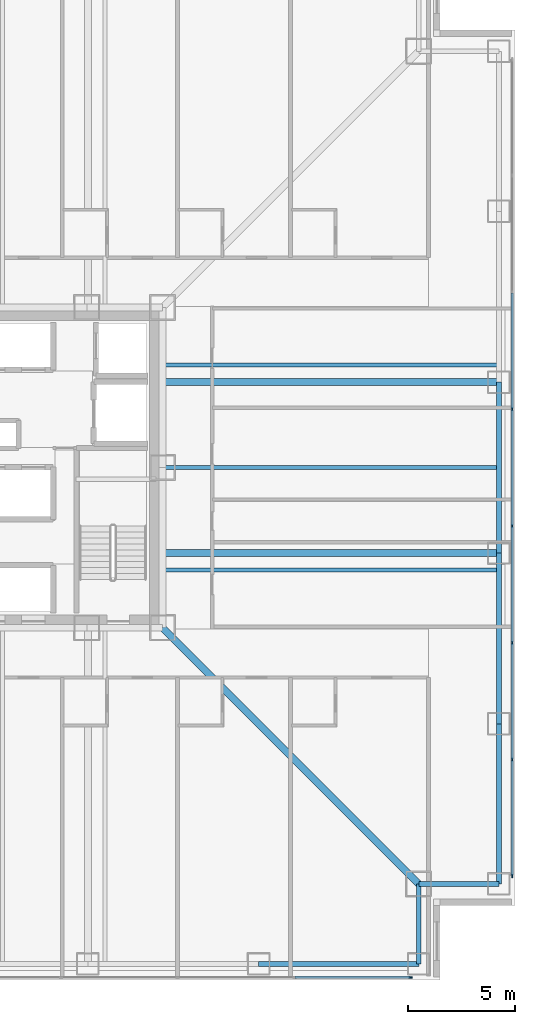
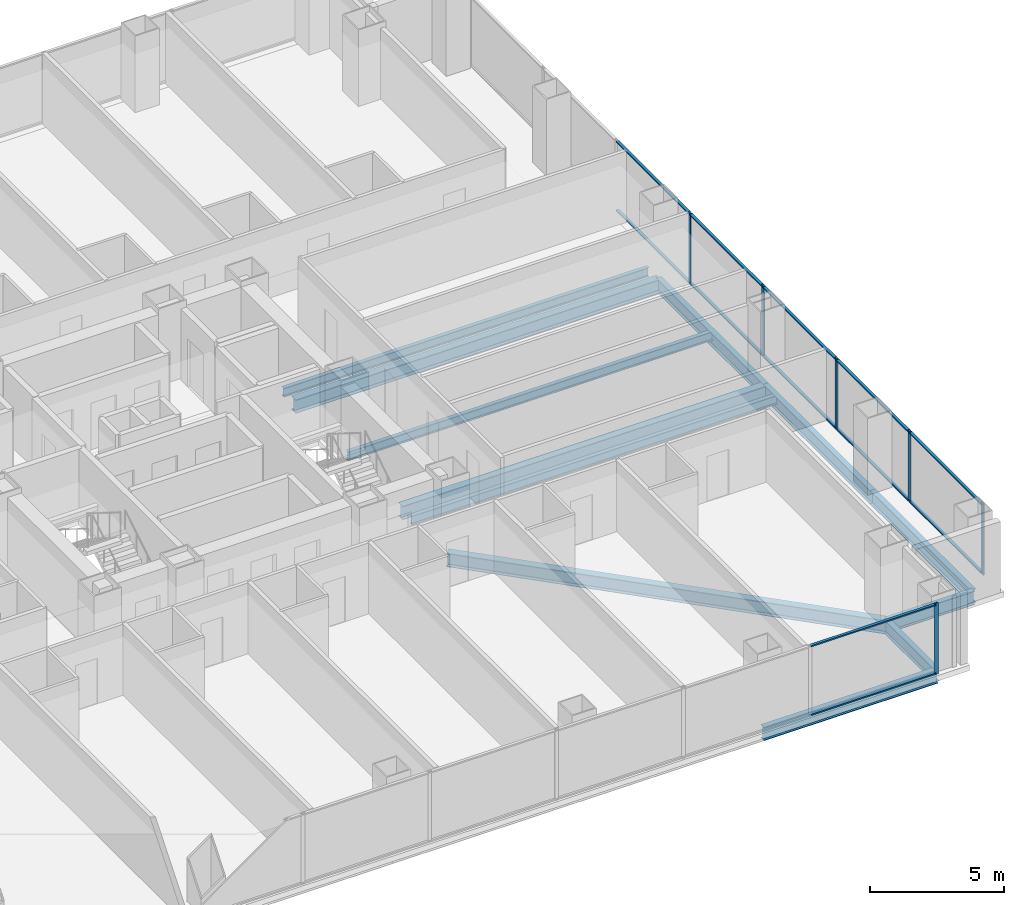
# One storey, part 6 of 17: 18 members, 12 beams, 2 elements without a shape of their own.
"""IFC4 building model written with IfcOpenShell, lengths in metres."""

from ifc_helpers import new_model, si_unit, direction, frame, origin, origin_2d, place, context, subcontext, project, spatial, rectangle, i_section, extrude, material, layer, layer_set, material_profile, profile_set, type_object, element, aggregate, save


model = new_model("IFC4")

# Units and contexts
model_context = context("Model", 3, precision=1e-05, world=origin(), true_north=direction((0.0, 1.0)))
body_context = subcontext(model_context, "Body", "Model", "MODEL_VIEW")
ifc_project = project(units=[si_unit("LENGTHUNIT", "METRE"), si_unit("AREAUNIT", "SQUARE_METRE"), si_unit("VOLUMEUNIT", "CUBIC_METRE"), si_unit("PLANEANGLEUNIT", "RADIAN"), si_unit("MASSUNIT", "GRAM", prefix="KILO")], contexts=[model_context])

# Site, building, storey
site_placement = place(None, origin())
site = spatial("IfcSite", under=ifc_project, at=site_placement, CompositionType="ELEMENT")
building_placement = place(site_placement, origin())
building = spatial("IfcBuilding", under=site, at=building_placement, Name="Trevonay Congress Spire", CompositionType="ELEMENT")
storey_placement = place(building_placement, frame((0.0, 0.0, 30.5)))
storey = spatial("IfcBuildingStorey", under=building, at=storey_placement, Name="L06", CompositionType="ELEMENT", Elevation=30.5)

# Beams
ifc_material_1 = material(Name="Steel ASTM A572 Grade 50", Category="steel")
ifc_material_profile_1 = material_profile(ifc_material_1, i_section(OverallWidth=0.324951171875, OverallDepth=0.615966796875, WebThickness=0.013916015625, FlangeThickness=0.021484375, FilletRadius=0.01806640625, at=origin_2d()), Name="W610x174")
ifc_profile_set_1 = profile_set([ifc_material_profile_1], Name="Steel ASTM A572 Grade 50")
beam_type_1 = type_object("IfcBeamType", Name="BM-GIRD-W610X174", PredefinedType="BEAM", material=ifc_profile_set_1)
beam_1_placement = place(storey_placement, frame((7.5, -7.5, -0.55810546875), z_axis=(0.707106781187, -0.707106781187, 0.0), x_axis=(0.707106781187, 0.707106781187, 0.0)))
element("IfcBeam", 1, at=beam_1_placement, inside=storey, type_object=beam_type_1, Name="L06 structural beam BM-L06-CDSE", PredefinedType="BEAM", context=body_context, shape_type="SweptSolid", body=[
    extrude(i_section(OverallWidth=0.324951171875, OverallDepth=0.615966796875, WebThickness=0.013916015625, FlangeThickness=0.021484375, FilletRadius=0.01806640625, at=origin_2d()), origin(), (0.0, 0.0, 1.0), 16.970458984375),
])
for number, where, z_axis, x_axis, name in (
    (2, (7.5, -4.0, -0.55810546875), (1.0, 0.0, 0.0), (0.0, 1.0, 0.0), "L06 structural beam BM-L06-GE-M"),
    (3, (7.5, 4.0, -0.55810546875), (1.0, 0.0, 0.0), (0.0, 1.0, 0.0), "L06 structural beam BM-L06-GE-P"),
):
    element("IfcBeam", number, at=place(storey_placement, frame(where, z_axis=z_axis, x_axis=x_axis)), inside=storey, type_object=beam_type_1, Name=name, PredefinedType="BEAM", context=body_context, shape_type="SweptSolid", body=[
        extrude(i_section(OverallWidth=0.324951171875, OverallDepth=0.615966796875, WebThickness=0.013916015625, FlangeThickness=0.021484375, FilletRadius=0.01806640625, at=origin_2d()), origin(), (0.0, 0.0, 1.0), 15.75),
    ])
ifc_material_profile_2 = material_profile(ifc_material_1, i_section(OverallWidth=0.22998046875, OverallDepth=0.616943359375, WebThickness=0.01318359375, FlangeThickness=0.022216796875, FilletRadius=0.01611328125, at=origin_2d()), Name="W610x140")
ifc_profile_set_2 = profile_set([ifc_material_profile_2], Name="Steel ASTM A572 Grade 50")
beam_type_2 = type_object("IfcBeamType", Name="BM-RING-W610X140", PredefinedType="BEAM", material=ifc_profile_set_2)
beam_2_placement = place(storey_placement, frame((23.25, -19.5, -0.55859375), z_axis=(0.0, 1.0, 0.0), x_axis=(-1.0, 0.0, 0.0)))
element("IfcBeam", 4, at=beam_2_placement, inside=storey, type_object=beam_type_2, Name="L06 structural beam BM-L06-PE1", PredefinedType="BEAM", context=body_context, shape_type="SweptSolid", body=[
    extrude(i_section(OverallWidth=0.22998046875, OverallDepth=0.616943359375, WebThickness=0.01318359375, FlangeThickness=0.022216796875, FilletRadius=0.01611328125, at=origin_2d()), origin(), (0.0, 0.0, 1.0), 7.5),
])
for number, where, z_axis, x_axis, name in (
    (5, (23.25, -12.0, -0.55859375), (0.0, 1.0, 0.0), (-1.0, 0.0, 0.0), "L06 structural beam BM-L06-PE2"),
    (6, (23.25, -4.0, -0.55859375), (0.0, 1.0, 0.0), (-1.0, 0.0, 0.0), "L06 structural beam BM-L06-PE3"),
):
    element("IfcBeam", number, at=place(storey_placement, frame(where, z_axis=z_axis, x_axis=x_axis)), inside=storey, type_object=beam_type_2, Name=name, PredefinedType="BEAM", context=body_context, shape_type="SweptSolid", body=[
        extrude(i_section(OverallWidth=0.22998046875, OverallDepth=0.616943359375, WebThickness=0.01318359375, FlangeThickness=0.022216796875, FilletRadius=0.01611328125, at=origin_2d()), origin(), (0.0, 0.0, 1.0), 8.0),
    ])
beam_3_placement = place(storey_placement, frame((12.0, -23.25, -0.55859375), z_axis=(1.0, 0.0, 0.0), x_axis=(0.0, 1.0, 0.0)))
element("IfcBeam", 7, at=beam_3_placement, inside=storey, type_object=beam_type_2, Name="L06 structural beam BM-L06-PS5", PredefinedType="BEAM", context=body_context, shape_type="SweptSolid", body=[
    extrude(i_section(OverallWidth=0.22998046875, OverallDepth=0.616943359375, WebThickness=0.01318359375, FlangeThickness=0.022216796875, FilletRadius=0.01611328125, at=origin_2d()), origin(), (0.0, 0.0, 1.0), 7.5),
])
for number, where, z_axis, x_axis, name in (
    (8, (19.5, -23.25, -0.55859375), (0.0, 1.0, 0.0), (-1.0, 0.0, 0.0), "L06 structural beam BM-L06-N1SE"),
    (9, (23.25, -19.5, -0.55859375), (-1.0, 0.0, 0.0), (0.0, -1.0, 0.0), "L06 structural beam BM-L06-N2SE"),
):
    element("IfcBeam", number, at=place(storey_placement, frame(where, z_axis=z_axis, x_axis=x_axis)), inside=storey, type_object=beam_type_2, Name=name, PredefinedType="BEAM", context=body_context, shape_type="SweptSolid", body=[
        extrude(i_section(OverallWidth=0.22998046875, OverallDepth=0.616943359375, WebThickness=0.01318359375, FlangeThickness=0.022216796875, FilletRadius=0.01611328125, at=origin_2d()), origin(), (0.0, 0.0, 1.0), 3.75),
    ])

# Curtain wall, member
ifc_material_2 = material(Name="Pale Anodised Aluminium EN AW-6063-T6", Category="aluminium")
ifc_layer = layer(ifc_material_2, 0.179931640625, Name="Pale Anodised Aluminium EN AW-6063-T6")
ifc_layer_set = layer_set([ifc_layer], Name="Pale Anodised Aluminium EN AW-6063-T6")
curtain_wall_type = type_object("IfcCurtainWallType", Name="CW-SYS02-HOTEL-PALE-METAL", PredefinedType="NOTDEFINED", material=ifc_layer_set)
curtain_wall_1_placement = place(storey_placement, origin())
curtain_wall_1 = element("IfcCurtainWall", 10, at=curtain_wall_1_placement, inside=storey, type_object=curtain_wall_type, Name="L06 S unitised curtain wall", PredefinedType="NOTDEFINED")
ifc_material_profile_3 = material_profile(ifc_material_2, rectangle(XDim=0.06005859375, YDim=0.159912109375, at=origin_2d()), Name="CW-MULLION-160-ALUMINIUM")
ifc_profile_set_3 = profile_set([ifc_material_profile_3], Name="Pale Anodised Aluminium EN AW-6063-T6")
member_type_1 = type_object("IfcMemberType", Name="CW-MULLION-160-ALUMINIUM", PredefinedType="MULLION", material=ifc_profile_set_3)
member_1_placement = place(storey_placement, frame((19.1201171875, -23.8798828125, 0.0), z_axis=(0.0, 0.0, 1.0), x_axis=(0.0, 1.0, 0.0)))
member_1 = element("IfcMember", 11, at=member_1_placement, type_object=member_type_1, Name="CW02 mullion 8", PredefinedType="MULLION", context=body_context, shape_type="SweptSolid", body=[
    extrude(rectangle(XDim=0.06005859375, YDim=0.159912109375, at=origin_2d()), origin(), (0.0, 0.0, 1.0), 3.25),
])

# Curtain wall, members
curtain_wall_2_placement = place(storey_placement, origin())
curtain_wall_2 = element("IfcCurtainWall", 12, at=curtain_wall_2_placement, inside=storey, type_object=curtain_wall_type, Name="L06 E unitised curtain wall", PredefinedType="NOTDEFINED")
member_2_placement = place(storey_placement, frame((23.8798828125, -19.1201171875, 0.0), z_axis=(0.0, 0.0, 1.0), x_axis=(-1.0, 0.0, 0.0)))
member_2 = element("IfcMember", 13, at=member_2_placement, type_object=member_type_1, Name="CW02 mullion 1", PredefinedType="MULLION", context=body_context, shape_type="SweptSolid", body=[
    extrude(rectangle(XDim=0.06005859375, YDim=0.159912109375, at=origin_2d()), origin(), (0.0, 0.0, 1.0), 3.25),
])
member_3_placement = place(storey_placement, frame((23.8798828125, -13.678466796875, 0.0), z_axis=(0.0, 0.0, 1.0), x_axis=(-1.0, 0.0, 0.0)))
member_3 = element("IfcMember", 14, at=member_3_placement, type_object=member_type_1, Name="CW02 mullion 2", PredefinedType="MULLION", context=body_context, shape_type="SweptSolid", body=[
    extrude(rectangle(XDim=0.06005859375, YDim=0.159912109375, at=origin_2d()), origin(), (0.0, 0.0, 1.0), 3.25),
])
member_4_placement = place(storey_placement, frame((23.8798828125, -8.20703125, 0.0), z_axis=(0.0, 0.0, 1.0), x_axis=(-1.0, 0.0, 0.0)))
member_4 = element("IfcMember", 15, at=member_4_placement, type_object=member_type_1, Name="CW02 mullion 3", PredefinedType="MULLION", context=body_context, shape_type="SweptSolid", body=[
    extrude(rectangle(XDim=0.06005859375, YDim=0.159912109375, at=origin_2d()), origin(), (0.0, 0.0, 1.0), 3.25),
])
member_5_placement = place(storey_placement, frame((23.8798828125, -2.735595703125, 0.0), z_axis=(0.0, 0.0, 1.0), x_axis=(-1.0, 0.0, 0.0)))
member_5 = element("IfcMember", 16, at=member_5_placement, type_object=member_type_1, Name="CW02 mullion 4", PredefinedType="MULLION", context=body_context, shape_type="SweptSolid", body=[
    extrude(rectangle(XDim=0.06005859375, YDim=0.159912109375, at=origin_2d()), origin(), (0.0, 0.0, 1.0), 3.25),
])
member_6_placement = place(storey_placement, frame((23.8798828125, 2.735595703125, 0.0), z_axis=(0.0, 0.0, 1.0), x_axis=(-1.0, 0.0, 0.0)))
member_6 = element("IfcMember", 17, at=member_6_placement, type_object=member_type_1, Name="CW02 mullion 5", PredefinedType="MULLION", context=body_context, shape_type="SweptSolid", body=[
    extrude(rectangle(XDim=0.06005859375, YDim=0.159912109375, at=origin_2d()), origin(), (0.0, 0.0, 1.0), 3.25),
])

# Member
ifc_material_profile_4 = material_profile(ifc_material_2, rectangle(XDim=0.1201171875, YDim=0.06005859375, at=origin_2d()), Name="CW-TRANSOM-120-ALUMINIUM")
ifc_profile_set_4 = profile_set([ifc_material_profile_4], Name="Pale Anodised Aluminium EN AW-6063-T6")
member_type_2 = type_object("IfcMemberType", Name="CW-TRANSOM-120-ALUMINIUM", PredefinedType="USERDEFINED", material=ifc_profile_set_4)
member_7_placement = place(storey_placement, frame((13.70849609375, -23.8798828125, 0.06005859375), z_axis=(1.0, 0.0, 0.0), x_axis=(0.0, 1.0, 0.0)))
member_7 = element("IfcMember", 18, at=member_7_placement, type_object=member_type_2, Name="CW02 transom 7.1", ObjectType="TRANSOM", PredefinedType="USERDEFINED", context=body_context, shape_type="SweptSolid", body=[
    extrude(rectangle(XDim=0.1201171875, YDim=0.06005859375, at=origin_2d()), origin(), (0.0, 0.0, 1.0), 5.381591796875),
])

member_8_placement = place(storey_placement, frame((13.70849609375, -23.8798828125, 3.18994140625), z_axis=(1.0, 0.0, 0.0), x_axis=(0.0, 1.0, 0.0)))
member_8 = element("IfcMember", 19, at=member_8_placement, type_object=member_type_2, Name="CW02 transom 7.2", ObjectType="TRANSOM", PredefinedType="USERDEFINED", context=body_context, shape_type="SweptSolid", body=[
    extrude(rectangle(XDim=0.1201171875, YDim=0.06005859375, at=origin_2d()), origin(), (0.0, 0.0, 1.0), 5.381591796875),
])

aggregate(curtain_wall_1, [member_1, member_7, member_8])

member_9_placement = place(storey_placement, frame((23.8798828125, -19.090087890625, 0.06005859375), z_axis=(0.0, 1.0, 0.0), x_axis=(-1.0, 0.0, 0.0)))
member_9 = element("IfcMember", 20, at=member_9_placement, type_object=member_type_2, Name="CW02 transom 1.1", ObjectType="TRANSOM", PredefinedType="USERDEFINED", context=body_context, shape_type="SweptSolid", body=[
    extrude(rectangle(XDim=0.1201171875, YDim=0.06005859375, at=origin_2d()), origin(), (0.0, 0.0, 1.0), 5.381591796875),
])

member_10_placement = place(storey_placement, frame((23.8798828125, -19.090087890625, 3.18994140625), z_axis=(0.0, 1.0, 0.0), x_axis=(-1.0, 0.0, 0.0)))
member_10 = element("IfcMember", 21, at=member_10_placement, type_object=member_type_2, Name="CW02 transom 1.2", ObjectType="TRANSOM", PredefinedType="USERDEFINED", context=body_context, shape_type="SweptSolid", body=[
    extrude(rectangle(XDim=0.1201171875, YDim=0.06005859375, at=origin_2d()), origin(), (0.0, 0.0, 1.0), 5.381591796875),
])

member_11_placement = place(storey_placement, frame((23.8798828125, -13.648681640625, 0.06005859375), z_axis=(0.0, 1.0, 0.0), x_axis=(-1.0, 0.0, 0.0)))
member_11 = element("IfcMember", 22, at=member_11_placement, type_object=member_type_2, Name="CW02 transom 2.1", ObjectType="TRANSOM", PredefinedType="USERDEFINED", context=body_context, shape_type="SweptSolid", body=[
    extrude(rectangle(XDim=0.1201171875, YDim=0.06005859375, at=origin_2d()), origin(), (0.0, 0.0, 1.0), 5.41162109375),
])

member_12_placement = place(storey_placement, frame((23.8798828125, -13.648681640625, 3.18994140625), z_axis=(0.0, 1.0, 0.0), x_axis=(-1.0, 0.0, 0.0)))
member_12 = element("IfcMember", 23, at=member_12_placement, type_object=member_type_2, Name="CW02 transom 2.2", ObjectType="TRANSOM", PredefinedType="USERDEFINED", context=body_context, shape_type="SweptSolid", body=[
    extrude(rectangle(XDim=0.1201171875, YDim=0.06005859375, at=origin_2d()), origin(), (0.0, 0.0, 1.0), 5.41162109375),
])

member_13_placement = place(storey_placement, frame((23.8798828125, -8.17724609375, 0.06005859375), z_axis=(0.0, 1.0, 0.0), x_axis=(-1.0, 0.0, 0.0)))
member_13 = element("IfcMember", 24, at=member_13_placement, type_object=member_type_2, Name="CW02 transom 3.1", ObjectType="TRANSOM", PredefinedType="USERDEFINED", context=body_context, shape_type="SweptSolid", body=[
    extrude(rectangle(XDim=0.1201171875, YDim=0.06005859375, at=origin_2d()), origin(), (0.0, 0.0, 1.0), 5.41162109375),
])

member_14_placement = place(storey_placement, frame((23.8798828125, -8.17724609375, 3.18994140625), z_axis=(0.0, 1.0, 0.0), x_axis=(-1.0, 0.0, 0.0)))
member_14 = element("IfcMember", 25, at=member_14_placement, type_object=member_type_2, Name="CW02 transom 3.2", ObjectType="TRANSOM", PredefinedType="USERDEFINED", context=body_context, shape_type="SweptSolid", body=[
    extrude(rectangle(XDim=0.1201171875, YDim=0.06005859375, at=origin_2d()), origin(), (0.0, 0.0, 1.0), 5.41162109375),
])

member_15_placement = place(storey_placement, frame((23.8798828125, -2.705810546875, 0.06005859375), z_axis=(0.0, 1.0, 0.0), x_axis=(-1.0, 0.0, 0.0)))
member_15 = element("IfcMember", 26, at=member_15_placement, type_object=member_type_2, Name="CW02 transom 4.1", ObjectType="TRANSOM", PredefinedType="USERDEFINED", context=body_context, shape_type="SweptSolid", body=[
    extrude(rectangle(XDim=0.1201171875, YDim=0.06005859375, at=origin_2d()), origin(), (0.0, 0.0, 1.0), 5.41162109375),
])

member_16_placement = place(storey_placement, frame((23.8798828125, -2.705810546875, 3.18994140625), z_axis=(0.0, 1.0, 0.0), x_axis=(-1.0, 0.0, 0.0)))
member_16 = element("IfcMember", 27, at=member_16_placement, type_object=member_type_2, Name="CW02 transom 4.2", ObjectType="TRANSOM", PredefinedType="USERDEFINED", context=body_context, shape_type="SweptSolid", body=[
    extrude(rectangle(XDim=0.1201171875, YDim=0.06005859375, at=origin_2d()), origin(), (0.0, 0.0, 1.0), 5.41162109375),
])

member_17_placement = place(storey_placement, frame((23.8798828125, 2.765625, 0.06005859375), z_axis=(0.0, 1.0, 0.0), x_axis=(-1.0, 0.0, 0.0)))
member_17 = element("IfcMember", 28, at=member_17_placement, type_object=member_type_2, Name="CW02 transom 5.1", ObjectType="TRANSOM", PredefinedType="USERDEFINED", context=body_context, shape_type="SweptSolid", body=[
    extrude(rectangle(XDim=0.1201171875, YDim=0.06005859375, at=origin_2d()), origin(), (0.0, 0.0, 1.0), 5.41162109375),
])

member_18_placement = place(storey_placement, frame((23.8798828125, 2.765625, 3.18994140625), z_axis=(0.0, 1.0, 0.0), x_axis=(-1.0, 0.0, 0.0)))
member_18 = element("IfcMember", 29, at=member_18_placement, type_object=member_type_2, Name="CW02 transom 5.2", ObjectType="TRANSOM", PredefinedType="USERDEFINED", context=body_context, shape_type="SweptSolid", body=[
    extrude(rectangle(XDim=0.1201171875, YDim=0.06005859375, at=origin_2d()), origin(), (0.0, 0.0, 1.0), 5.41162109375),
])

aggregate(curtain_wall_2, [member_2, member_3, member_4, member_5, member_6, member_9, member_10, member_11, member_12, member_13, member_14, member_15, member_16, member_17, member_18])

# Beams
ifc_material_profile_5 = material_profile(ifc_material_1, i_section(OverallWidth=0.177978515625, OverallDepth=0.406982421875, WebThickness=0.0078125, FlangeThickness=0.0126953125, FilletRadius=0.012939453125, at=origin_2d()), Name="W410x60")
ifc_profile_set_5 = profile_set([ifc_material_profile_5], Name="Steel ASTM A572 Grade 50")
beam_type_3 = type_object("IfcBeamType", Name="JS-COMP-W410X60", PredefinedType="JOIST", material=ifc_profile_set_5)
for number, where, z_axis, x_axis, name in (
    (30, (7.5, -4.800048828125, -0.45361328125), (1.0, 0.0, 0.0), (0.0, 1.0, 0.0), "L06 structural beam JS-L06-EW-E1"),
    (31, (7.5, 0.0, -0.45361328125), (1.0, 0.0, 0.0), (0.0, 1.0, 0.0), "L06 structural beam JS-L06-EW-E2"),
    (32, (7.5, 4.800048828125, -0.45361328125), (1.0, 0.0, 0.0), (0.0, 1.0, 0.0), "L06 structural beam JS-L06-EW-E3"),
):
    element("IfcBeam", number, at=place(storey_placement, frame(where, z_axis=z_axis, x_axis=x_axis)), inside=storey, type_object=beam_type_3, Name=name, PredefinedType="JOIST", context=body_context, shape_type="SweptSolid", body=[
        extrude(i_section(OverallWidth=0.177978515625, OverallDepth=0.406982421875, WebThickness=0.0078125, FlangeThickness=0.0126953125, FilletRadius=0.012939453125, at=origin_2d()), origin(), (0.0, 0.0, 1.0), 15.75),
    ])

save(model, "model.ifc")
